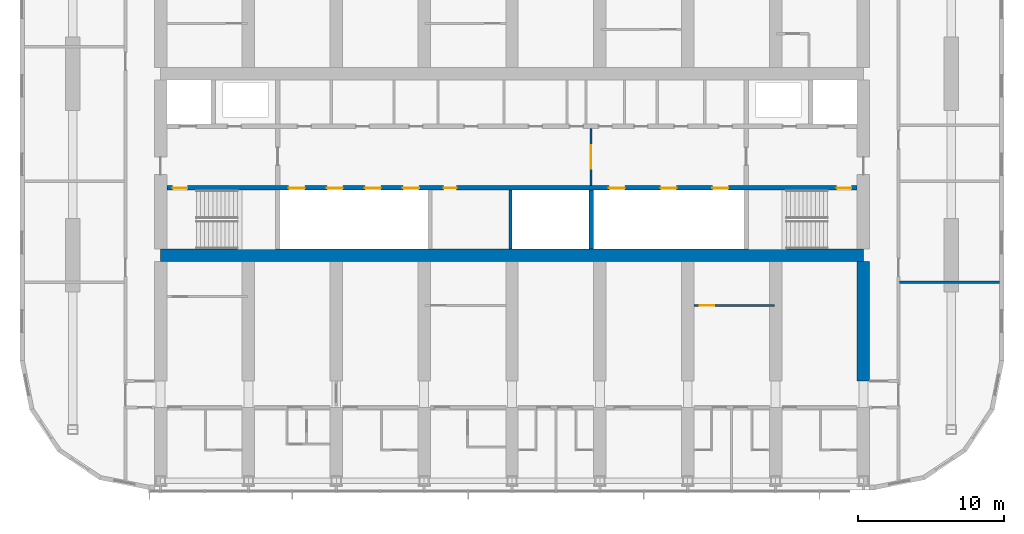
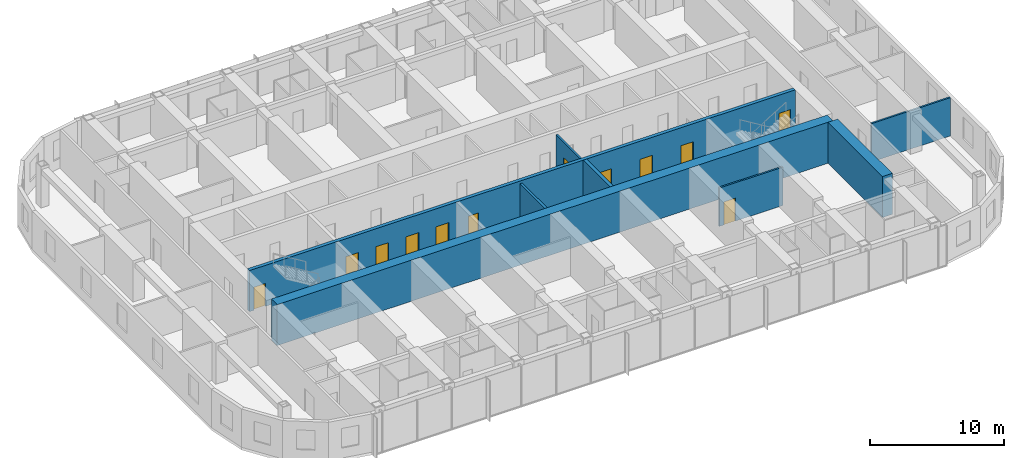
# One storey, part 13 of 23: 12 doors, 8 walls, 12 openings.
"""IFC4 building model written with IfcOpenShell, lengths in metres."""

from ifc_helpers import new_model, si_unit, direction, frame, frame_2d, origin, place, context, subcontext, project, spatial, rectangle, extrude, material, layer, layer_set, type_object, element, fill, save


model = new_model("IFC4")

# Units and contexts
model_context = context("Model", 3, precision=1e-05, world=origin(), true_north=direction((0.0, 1.0)))
body_context = subcontext(model_context, "Body", "Model", "MODEL_VIEW")
ifc_project = project(units=[si_unit("LENGTHUNIT", "METRE"), si_unit("AREAUNIT", "SQUARE_METRE"), si_unit("VOLUMEUNIT", "CUBIC_METRE"), si_unit("PLANEANGLEUNIT", "RADIAN"), si_unit("MASSUNIT", "GRAM", prefix="KILO")], contexts=[model_context])

# Site, building, storey
site_placement = place(None, origin())
site = spatial("IfcSite", under=ifc_project, at=site_placement, CompositionType="ELEMENT")
building_placement = place(site_placement, origin())
building = spatial("IfcBuilding", under=site, at=building_placement, Name="Orbita Commons", CompositionType="ELEMENT")
storey_placement = place(building_placement, frame((0.0, 0.0, 171.10009765625)))
storey = spatial("IfcBuildingStorey", under=building, at=storey_placement, Name="L42", CompositionType="ELEMENT", Elevation=171.10009765625)

# Wall, openings, doors
ifc_material_1 = material(Name="Concrete C50/60", Category="concrete")
ifc_layer_1 = layer(ifc_material_1, 0.300048828125)
ifc_layer_set_1 = layer_set([ifc_layer_1], Name="Concrete C50/60")
wall_type_1 = type_object("IfcWallType", Name="Core inner wall 300 C50/60", PredefinedType="SHEAR", material=ifc_layer_set_1)
wall_1_placement = place(storey_placement, frame((18.425048828125, 30.39990234375, 0.0), z_axis=(0.0, 0.0, 1.0), x_axis=(1.0, 0.0, 0.0)))
wall_1 = element("IfcWall", 1, at=wall_1_placement, inside=storey, type_object=wall_type_1, Name="Lobby wall south L42", PredefinedType="SHEAR", context=body_context, shape_type="SweptSolid", body=[
    extrude(rectangle(XDim=47.14990234375, YDim=0.300048828125, at=frame_2d((23.574951171875, 0.0))), origin(), (0.0, 0.0, 1.0), 3.75),
])
opening_1_placement = place(wall_1_placement, frame((0.39990234375, 0.0, 0.0)))
opening_1 = element("IfcOpeningElement", 2, at=opening_1_placement, cuts=wall_1, Name="Opening D02", PredefinedType="OPENING", context=body_context, shape_type="SweptSolid", body=[
    extrude(rectangle(XDim=1.0, YDim=2.10009765625, at=frame_2d((0.5, 1.050048828125))), frame((0.0, 0.159912109375, 0.0), z_axis=(0.0, -1.0, 0.0), x_axis=(1.0, 0.0, 0.0)), (0.0, 0.0, 1.0), 0.320068359375),
])
opening_2_placement = place(wall_1_placement, frame((45.75, 0.0, 0.0)))
opening_2 = element("IfcOpeningElement", 3, at=opening_2_placement, cuts=wall_1, Name="Opening D02", PredefinedType="OPENING", context=body_context, shape_type="SweptSolid", body=[
    extrude(rectangle(XDim=1.0, YDim=2.10009765625, at=frame_2d((0.5, 1.050048828125))), frame((0.0, 0.159912109375, 0.0), z_axis=(0.0, -1.0, 0.0), x_axis=(1.0, 0.0, 0.0)), (0.0, 0.0, 1.0), 0.320068359375),
])
opening_3_placement = place(wall_1_placement, frame((8.324951171875, 0.0, 0.0)))
opening_3 = element("IfcOpeningElement", 4, at=opening_3_placement, cuts=wall_1, Name="Opening LD02", PredefinedType="OPENING", context=body_context, shape_type="SweptSolid", body=[
    extrude(rectangle(XDim=1.10009765625, YDim=2.10009765625, at=frame_2d((0.550048828125, 1.050048828125))), frame((0.0, 0.159912109375, 0.0), z_axis=(0.0, -1.0, 0.0), x_axis=(1.0, 0.0, 0.0)), (0.0, 0.0, 1.0), 0.320068359375),
])
opening_4_placement = place(wall_1_placement, frame((10.925048828125, 0.0, 0.0)))
opening_4 = element("IfcOpeningElement", 5, at=opening_4_placement, cuts=wall_1, Name="Opening LD02", PredefinedType="OPENING", context=body_context, shape_type="SweptSolid", body=[
    extrude(rectangle(XDim=1.10009765625, YDim=2.10009765625, at=frame_2d((0.550048828125, 1.050048828125))), frame((0.0, 0.159912109375, 0.0), z_axis=(0.0, -1.0, 0.0), x_axis=(1.0, 0.0, 0.0)), (0.0, 0.0, 1.0), 0.320068359375),
])
opening_5_placement = place(wall_1_placement, frame((13.52490234375, 0.0, 0.0)))
opening_5 = element("IfcOpeningElement", 6, at=opening_5_placement, cuts=wall_1, Name="Opening LD02", PredefinedType="OPENING", context=body_context, shape_type="SweptSolid", body=[
    extrude(rectangle(XDim=1.10009765625, YDim=2.10009765625, at=frame_2d((0.550048828125, 1.050048828125))), frame((0.0, 0.159912109375, 0.0), z_axis=(0.0, -1.0, 0.0), x_axis=(1.0, 0.0, 0.0)), (0.0, 0.0, 1.0), 0.320068359375),
])
opening_6_placement = place(wall_1_placement, frame((16.125, 0.0, 0.0)))
opening_6 = element("IfcOpeningElement", 7, at=opening_6_placement, cuts=wall_1, Name="Opening LD02", PredefinedType="OPENING", context=body_context, shape_type="SweptSolid", body=[
    extrude(rectangle(XDim=1.10009765625, YDim=2.10009765625, at=frame_2d((0.550048828125, 1.050048828125))), frame((0.0, 0.159912109375, 0.0), z_axis=(0.0, -1.0, 0.0), x_axis=(1.0, 0.0, 0.0)), (0.0, 0.0, 1.0), 0.320068359375),
])
opening_7_placement = place(wall_1_placement, frame((18.89990234375, 0.0, 0.0)))
opening_7 = element("IfcOpeningElement", 8, at=opening_7_placement, cuts=wall_1, Name="Opening D05", PredefinedType="OPENING", context=body_context, shape_type="SweptSolid", body=[
    extrude(rectangle(XDim=0.89990234375, YDim=2.10009765625, at=frame_2d((0.449951171875, 1.050048828125))), frame((0.0, 0.159912109375, 0.0), z_axis=(0.0, -1.0, 0.0), x_axis=(1.0, 0.0, 0.0)), (0.0, 0.0, 1.0), 0.320068359375),
])
opening_8_placement = place(wall_1_placement, frame((30.191650390625, 0.0, 0.0)))
opening_8 = element("IfcOpeningElement", 9, at=opening_8_placement, cuts=wall_1, Name="Opening LD02", PredefinedType="OPENING", context=body_context, shape_type="SweptSolid", body=[
    extrude(rectangle(XDim=1.10009765625, YDim=2.10009765625, at=frame_2d((0.550048828125, 1.050048828125))), frame((0.0, 0.159912109375, 0.0), z_axis=(0.0, -1.0, 0.0), x_axis=(1.0, 0.0, 0.0)), (0.0, 0.0, 1.0), 0.320068359375),
])
opening_9_placement = place(wall_1_placement, frame((33.72509765625, 0.0, 0.0)))
opening_9 = element("IfcOpeningElement", 10, at=opening_9_placement, cuts=wall_1, Name="Opening LD02", PredefinedType="OPENING", context=body_context, shape_type="SweptSolid", body=[
    extrude(rectangle(XDim=1.10009765625, YDim=2.10009765625, at=frame_2d((0.550048828125, 1.050048828125))), frame((0.0, 0.159912109375, 0.0), z_axis=(0.0, -1.0, 0.0), x_axis=(1.0, 0.0, 0.0)), (0.0, 0.0, 1.0), 0.320068359375),
])
opening_10_placement = place(wall_1_placement, frame((37.25830078125, 0.0, 0.0)))
opening_10 = element("IfcOpeningElement", 11, at=opening_10_placement, cuts=wall_1, Name="Opening LD02", PredefinedType="OPENING", context=body_context, shape_type="SweptSolid", body=[
    extrude(rectangle(XDim=1.10009765625, YDim=2.10009765625, at=frame_2d((0.550048828125, 1.050048828125))), frame((0.0, 0.159912109375, 0.0), z_axis=(0.0, -1.0, 0.0), x_axis=(1.0, 0.0, 0.0)), (0.0, 0.0, 1.0), 0.320068359375),
])
ifc_material_2 = material(Name="Steel-faced fire door leaf", Category="steel")
door_type_1 = type_object("IfcDoorType", Name="Fire door 90 min 1000x2100", OperationType="SINGLE_SWING_LEFT", PredefinedType="DOOR", material=ifc_material_2)
door_1_placement = place(opening_1_placement, origin())
door_1 = element("IfcDoor", 12, at=door_1_placement, inside=storey, type_object=door_type_1, Name="Stair S1 door", OperationType="SINGLE_SWING_LEFT", OverallHeight=2.10009765625, OverallWidth=1.0, PredefinedType="DOOR", context=body_context, shape_type="SweptSolid", body=[
    extrude(rectangle(XDim=1.0, YDim=2.10009765625, at=frame_2d((0.5, 1.050048828125))), frame((0.0, 0.02490234375, 0.0), z_axis=(0.0, -1.0, 0.0), x_axis=(1.0, 0.0, 0.0)), (0.0, 0.0, 1.0), 0.050048828125),
])
fill(opening_1, door_1)
door_2_placement = place(opening_2_placement, origin())
door_2 = element("IfcDoor", 13, at=door_2_placement, inside=storey, type_object=door_type_1, Name="Stair S2 door", OperationType="SINGLE_SWING_LEFT", OverallHeight=2.10009765625, OverallWidth=1.0, PredefinedType="DOOR", context=body_context, shape_type="SweptSolid", body=[
    extrude(rectangle(XDim=1.0, YDim=2.10009765625, at=frame_2d((0.5, 1.050048828125))), frame((0.0, 0.02490234375, 0.0), z_axis=(0.0, -1.0, 0.0), x_axis=(1.0, 0.0, 0.0)), (0.0, 0.0, 1.0), 0.050048828125),
])
fill(opening_2, door_2)
ifc_material_3 = material(Name="Steel-faced fire door leaf", Category="steel")
door_type_2 = type_object("IfcDoorType", Name="Lift landing door 1100x2100", OperationType="DOUBLE_DOOR_SLIDING", PredefinedType="DOOR", material=ifc_material_3)
door_3_placement = place(opening_3_placement, origin())
door_3 = element("IfcDoor", 14, at=door_3_placement, inside=storey, type_object=door_type_2, Name="Lift P31 landing door", OperationType="DOUBLE_DOOR_SLIDING", OverallHeight=2.10009765625, OverallWidth=1.10009765625, PredefinedType="DOOR", context=body_context, shape_type="SweptSolid", body=[
    extrude(rectangle(XDim=1.10009765625, YDim=2.10009765625, at=frame_2d((0.550048828125, 1.050048828125))), frame((0.0, 0.02490234375, 0.0), z_axis=(0.0, -1.0, 0.0), x_axis=(1.0, 0.0, 0.0)), (0.0, 0.0, 1.0), 0.050048828125),
])
fill(opening_3, door_3)
door_4_placement = place(opening_4_placement, origin())
door_4 = element("IfcDoor", 15, at=door_4_placement, inside=storey, type_object=door_type_2, Name="Lift P32 landing door", OperationType="DOUBLE_DOOR_SLIDING", OverallHeight=2.10009765625, OverallWidth=1.10009765625, PredefinedType="DOOR", context=body_context, shape_type="SweptSolid", body=[
    extrude(rectangle(XDim=1.10009765625, YDim=2.10009765625, at=frame_2d((0.550048828125, 1.050048828125))), frame((0.0, 0.02490234375, 0.0), z_axis=(0.0, -1.0, 0.0), x_axis=(1.0, 0.0, 0.0)), (0.0, 0.0, 1.0), 0.050048828125),
])
fill(opening_4, door_4)
door_5_placement = place(opening_5_placement, origin())
door_5 = element("IfcDoor", 16, at=door_5_placement, inside=storey, type_object=door_type_2, Name="Lift P33 landing door", OperationType="DOUBLE_DOOR_SLIDING", OverallHeight=2.10009765625, OverallWidth=1.10009765625, PredefinedType="DOOR", context=body_context, shape_type="SweptSolid", body=[
    extrude(rectangle(XDim=1.10009765625, YDim=2.10009765625, at=frame_2d((0.550048828125, 1.050048828125))), frame((0.0, 0.02490234375, 0.0), z_axis=(0.0, -1.0, 0.0), x_axis=(1.0, 0.0, 0.0)), (0.0, 0.0, 1.0), 0.050048828125),
])
fill(opening_5, door_5)
door_6_placement = place(opening_6_placement, origin())
door_6 = element("IfcDoor", 17, at=door_6_placement, inside=storey, type_object=door_type_2, Name="Lift P34 landing door", OperationType="DOUBLE_DOOR_SLIDING", OverallHeight=2.10009765625, OverallWidth=1.10009765625, PredefinedType="DOOR", context=body_context, shape_type="SweptSolid", body=[
    extrude(rectangle(XDim=1.10009765625, YDim=2.10009765625, at=frame_2d((0.550048828125, 1.050048828125))), frame((0.0, 0.02490234375, 0.0), z_axis=(0.0, -1.0, 0.0), x_axis=(1.0, 0.0, 0.0)), (0.0, 0.0, 1.0), 0.050048828125),
])
fill(opening_6, door_6)
door_7_placement = place(opening_8_placement, origin())
door_7 = element("IfcDoor", 18, at=door_7_placement, inside=storey, type_object=door_type_2, Name="Lift SV1 landing door", OperationType="DOUBLE_DOOR_SLIDING", OverallHeight=2.10009765625, OverallWidth=1.10009765625, PredefinedType="DOOR", context=body_context, shape_type="SweptSolid", body=[
    extrude(rectangle(XDim=1.10009765625, YDim=2.10009765625, at=frame_2d((0.550048828125, 1.050048828125))), frame((0.0, 0.02490234375, 0.0), z_axis=(0.0, -1.0, 0.0), x_axis=(1.0, 0.0, 0.0)), (0.0, 0.0, 1.0), 0.050048828125),
])
fill(opening_8, door_7)
door_8_placement = place(opening_9_placement, origin())
door_8 = element("IfcDoor", 19, at=door_8_placement, inside=storey, type_object=door_type_2, Name="Lift SV2 landing door", OperationType="DOUBLE_DOOR_SLIDING", OverallHeight=2.10009765625, OverallWidth=1.10009765625, PredefinedType="DOOR", context=body_context, shape_type="SweptSolid", body=[
    extrude(rectangle(XDim=1.10009765625, YDim=2.10009765625, at=frame_2d((0.550048828125, 1.050048828125))), frame((0.0, 0.02490234375, 0.0), z_axis=(0.0, -1.0, 0.0), x_axis=(1.0, 0.0, 0.0)), (0.0, 0.0, 1.0), 0.050048828125),
])
fill(opening_9, door_8)
door_9_placement = place(opening_10_placement, origin())
door_9 = element("IfcDoor", 20, at=door_9_placement, inside=storey, type_object=door_type_2, Name="Lift SV3 landing door", OperationType="DOUBLE_DOOR_SLIDING", OverallHeight=2.10009765625, OverallWidth=1.10009765625, PredefinedType="DOOR", context=body_context, shape_type="SweptSolid", body=[
    extrude(rectangle(XDim=1.10009765625, YDim=2.10009765625, at=frame_2d((0.550048828125, 1.050048828125))), frame((0.0, 0.02490234375, 0.0), z_axis=(0.0, -1.0, 0.0), x_axis=(1.0, 0.0, 0.0)), (0.0, 0.0, 1.0), 0.050048828125),
])
fill(opening_10, door_9)
ifc_material_4 = material(Name="Steel-faced fire door leaf", Category="steel")
door_type_3 = type_object("IfcDoorType", Name="Service door 20 min 900x2100", OperationType="SINGLE_SWING_LEFT", PredefinedType="DOOR", material=ifc_material_4)
door_10_placement = place(opening_7_placement, origin())
door_10 = element("IfcDoor", 21, at=door_10_placement, inside=storey, type_object=door_type_3, Name="Mail room door", OperationType="SINGLE_SWING_LEFT", OverallHeight=2.10009765625, OverallWidth=0.89990234375, PredefinedType="DOOR", context=body_context, shape_type="SweptSolid", body=[
    extrude(rectangle(XDim=0.89990234375, YDim=2.10009765625, at=frame_2d((0.449951171875, 1.050048828125))), frame((0.0, 0.02490234375, 0.0), z_axis=(0.0, -1.0, 0.0), x_axis=(1.0, 0.0, 0.0)), (0.0, 0.0, 1.0), 0.050048828125),
])
fill(opening_7, door_10)

# Wall
wall_2_placement = place(storey_placement, frame((47.39990234375, 26.22509765625, 0.0), z_axis=(0.0, 0.0, 1.0), x_axis=(0.0, 1.0, 0.0)))
element("IfcWall", 22, at=wall_2_placement, inside=storey, type_object=wall_type_1, Name="Hoistway division wall L42", PredefinedType="SHEAR", context=body_context, shape_type="SweptSolid", body=[
    extrude(rectangle(XDim=4.02490234375, YDim=0.300048828125, at=frame_2d((2.012451171875, 0.0))), origin(), (0.0, 0.0, 1.0), 3.75),
])

# Wall, opening, door
ifc_material_5 = material(Name="Concrete blockwork", Category="masonry")
ifc_layer_2 = layer(ifc_material_5, 0.14990234375)
ifc_layer_set_2 = layer_set([ifc_layer_2], Name="Concrete blockwork")
wall_type_2 = type_object("IfcWallType", Name="Core partition 150 blockwork", PredefinedType="SOLIDWALL", material=ifc_layer_set_2)
wall_3_placement = place(storey_placement, frame((47.39990234375, 30.550048828125, 0.0), z_axis=(0.0, 0.0, 1.0), x_axis=(0.0, 1.0, 0.0)))
wall_3 = element("IfcWall", 23, at=wall_3_placement, inside=storey, type_object=wall_type_2, Name="Core partition 150 blockwork L42", PredefinedType="SOLIDWALL", context=body_context, shape_type="SweptSolid", body=[
    extrude(rectangle(XDim=3.89990234375, YDim=0.14990234375, at=frame_2d((1.949951171875, 0.0))), origin(), (0.0, 0.0, 1.0), 3.5),
])
opening_11_placement = place(wall_3_placement, frame((1.14990234375, 0.0, 0.0)))
opening_11 = element("IfcOpeningElement", 24, at=opening_11_placement, cuts=wall_3, Name="Opening D10", PredefinedType="OPENING", context=body_context, shape_type="SweptSolid", body=[
    extrude(rectangle(XDim=1.60009765625, YDim=2.10009765625, at=frame_2d((0.800048828125, 1.050048828125))), frame((0.0, 0.0849609375, 0.0), z_axis=(0.0, -1.0, 0.0), x_axis=(1.0, 0.0, 0.0)), (0.0, 0.0, 1.0), 0.169921875),
])
ifc_material_6 = material(Name="Steel-faced fire door leaf", Category="steel")
door_type_4 = type_object("IfcDoorType", Name="Double corridor door 20 min 1600x2100", OperationType="DOUBLE_DOOR_SINGLE_SWING", PredefinedType="DOOR", material=ifc_material_6)
door_11_placement = place(opening_11_placement, origin())
door_11 = element("IfcDoor", 25, at=door_11_placement, inside=storey, type_object=door_type_4, Name="Lift lobby screen doors", OperationType="DOUBLE_DOOR_SINGLE_SWING", OverallHeight=2.10009765625, OverallWidth=1.60009765625, PredefinedType="DOOR", context=body_context, shape_type="SweptSolid", body=[
    extrude(rectangle(XDim=1.60009765625, YDim=2.10009765625, at=frame_2d((0.800048828125, 1.050048828125))), frame((0.0, 0.02490234375, 0.0), z_axis=(0.0, -1.0, 0.0), x_axis=(1.0, 0.0, 0.0)), (0.0, 0.0, 1.0), 0.050048828125),
])
fill(opening_11, door_11)

# Walls
ifc_material_7 = material(Name="Concrete C50/60", Category="concrete")
ifc_layer_3 = layer(ifc_material_7, 0.85009765625)
ifc_layer_set_3 = layer_set([ifc_layer_3], Name="Concrete C50/60")
wall_type_3 = type_object("IfcWallType", Name="Core wall 850 C50/60", PredefinedType="SHEAR", material=ifc_layer_set_3)
wall_4_placement = place(storey_placement, frame((18.0, 25.800048828125, 0.0), z_axis=(0.0, 0.0, 1.0), x_axis=(1.0, 0.0, 0.0)))
element("IfcWall", 26, at=wall_4_placement, inside=storey, type_object=wall_type_3, Name="Core spine wall south L42", PredefinedType="SHEAR", context=body_context, shape_type="SweptSolid", body=[
    extrude(rectangle(XDim=48.0, YDim=0.85009765625, at=frame_2d((24.0, 0.0))), origin(), (0.0, 0.0, 1.0), 3.75),
])
ifc_material_8 = material(Name="Concrete C50/60", Category="concrete")
ifc_layer_4 = layer(ifc_material_8, 0.85009765625)
ifc_layer_set_4 = layer_set([ifc_layer_4], Name="Concrete C50/60")
wall_type_4 = type_object("IfcWallType", Name="Cross wall 850 C50/60", PredefinedType="SHEAR", material=ifc_layer_set_4)
wall_5_placement = place(storey_placement, frame((66.0, 17.199951171875, 0.0), z_axis=(0.0, 0.0, 1.0), x_axis=(0.0, 1.0, 0.0)))
element("IfcWall", 27, at=wall_5_placement, inside=storey, type_object=wall_type_4, Name="Cross wall 12 south inner L42", PredefinedType="SHEAR", context=body_context, shape_type="SweptSolid", body=[
    extrude(rectangle(XDim=8.175048828125, YDim=0.85009765625, at=frame_2d((4.08740234375, 0.0))), origin(), (0.0, 0.0, 1.0), 3.75),
])

# Wall, opening, door
ifc_material_9 = material(Name="Gypsum plasterboard on steel studs", Category="steel")
ifc_layer_5 = layer(ifc_material_9, 0.14990234375)
ifc_layer_set_5 = layer_set([ifc_layer_5], Name="Gypsum plasterboard on steel studs")
wall_type_5 = type_object("IfcWallType", Name="Partition 150 plasterboard", PredefinedType="PARTITIONING", material=ifc_layer_set_5)
wall_6_placement = place(storey_placement, frame((54.425048828125, 22.375, 0.0), z_axis=(0.0, 0.0, 1.0), x_axis=(1.0, 0.0, 0.0)))
wall_6 = element("IfcWall", 28, at=wall_6_placement, inside=storey, type_object=wall_type_5, Name="Partition 150 plasterboard L42", PredefinedType="PARTITIONING", context=body_context, shape_type="SweptSolid", body=[
    extrude(rectangle(XDim=5.5, YDim=0.14990234375, at=frame_2d((2.75, 0.0))), origin(), (0.0, 0.0, 1.0), 3.5),
])
opening_12_placement = place(wall_6_placement, frame((0.39990234375, 0.0, 0.0)))
opening_12 = element("IfcOpeningElement", 29, at=opening_12_placement, cuts=wall_6, Name="Opening D18", PredefinedType="OPENING", context=body_context, shape_type="SweptSolid", body=[
    extrude(rectangle(XDim=1.0, YDim=2.10009765625, at=frame_2d((0.5, 1.050048828125))), frame((0.0, 0.0849609375, 0.0), z_axis=(0.0, -1.0, 0.0), x_axis=(1.0, 0.0, 0.0)), (0.0, 0.0, 1.0), 0.169921875),
])
ifc_material_10 = material(Name="Steel-faced fire door leaf", Category="steel")
door_type_5 = type_object("IfcDoorType", Name="Service door 20 min 1000x2100", OperationType="SINGLE_SWING_LEFT", PredefinedType="DOOR", material=ifc_material_10)
door_12_placement = place(opening_12_placement, origin())
door_12 = element("IfcDoor", 30, at=door_12_placement, inside=storey, type_object=door_type_5, Name="Refuse and recycling room L42-BDS54 door", OperationType="SINGLE_SWING_LEFT", OverallHeight=2.10009765625, OverallWidth=1.0, PredefinedType="DOOR", context=body_context, shape_type="SweptSolid", body=[
    extrude(rectangle(XDim=1.0, YDim=2.10009765625, at=frame_2d((0.5, 1.050048828125))), frame((0.0, 0.02490234375, 0.0), z_axis=(0.0, -1.0, 0.0), x_axis=(1.0, 0.0, 0.0)), (0.0, 0.0, 1.0), 0.050048828125),
])
fill(opening_12, door_12)

# Walls
wall_7_placement = place(storey_placement, frame((68.47509765625, 23.9599609375, 0.0), z_axis=(0.0, 0.0, 1.0), x_axis=(1.0, 0.0, 0.0)))
element("IfcWall", 31, at=wall_7_placement, inside=storey, type_object=wall_type_5, Name="Partition 150 plasterboard L42", PredefinedType="PARTITIONING", context=body_context, shape_type="SweptSolid", body=[
    extrude(rectangle(XDim=6.81982421875, YDim=0.14990234375, at=frame_2d((3.409912109375, 0.0))), origin(), (0.0, 0.0, 1.0), 3.5),
])
ifc_material_11 = material(Name="Concrete blockwork, fully filled", Category="masonry")
ifc_layer_6 = layer(ifc_material_11, 0.199951171875)
ifc_layer_set_6 = layer_set([ifc_layer_6], Name="Concrete blockwork, fully filled")
wall_type_6 = type_object("IfcWallType", Name="Shaft partition 200 blockwork", PredefinedType="SOLIDWALL", material=ifc_layer_set_6)
wall_8_placement = place(storey_placement, frame((41.89990234375, 26.22509765625, 0.0), z_axis=(0.0, 0.0, 1.0), x_axis=(0.0, 1.0, 0.0)))
element("IfcWall", 32, at=wall_8_placement, inside=storey, type_object=wall_type_6, Name="Shaft partition 200 blockwork L42", PredefinedType="SOLIDWALL", context=body_context, shape_type="SweptSolid", body=[
    extrude(rectangle(XDim=4.02490234375, YDim=0.199951171875, at=frame_2d((2.012451171875, 0.0))), origin(), (0.0, 0.0, 1.0), 3.5),
])

save(model, "model.ifc")
